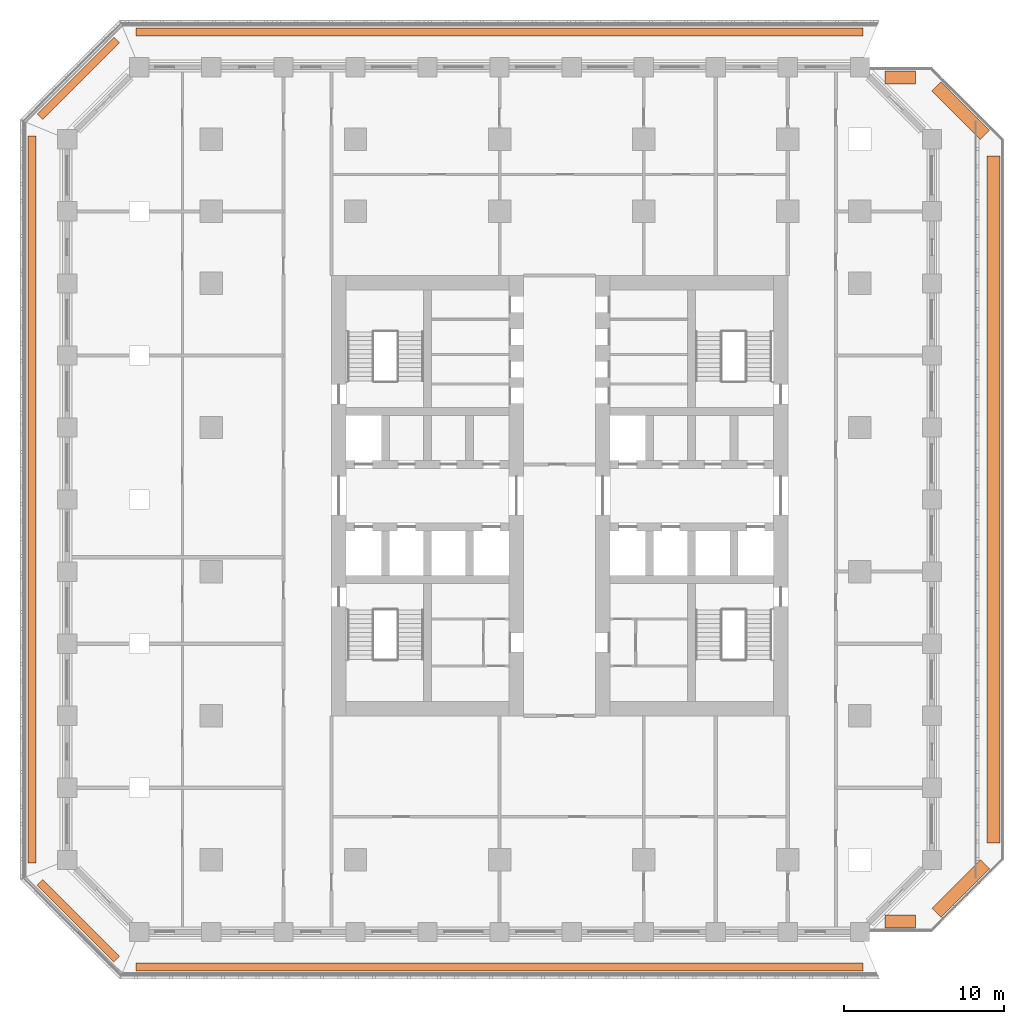
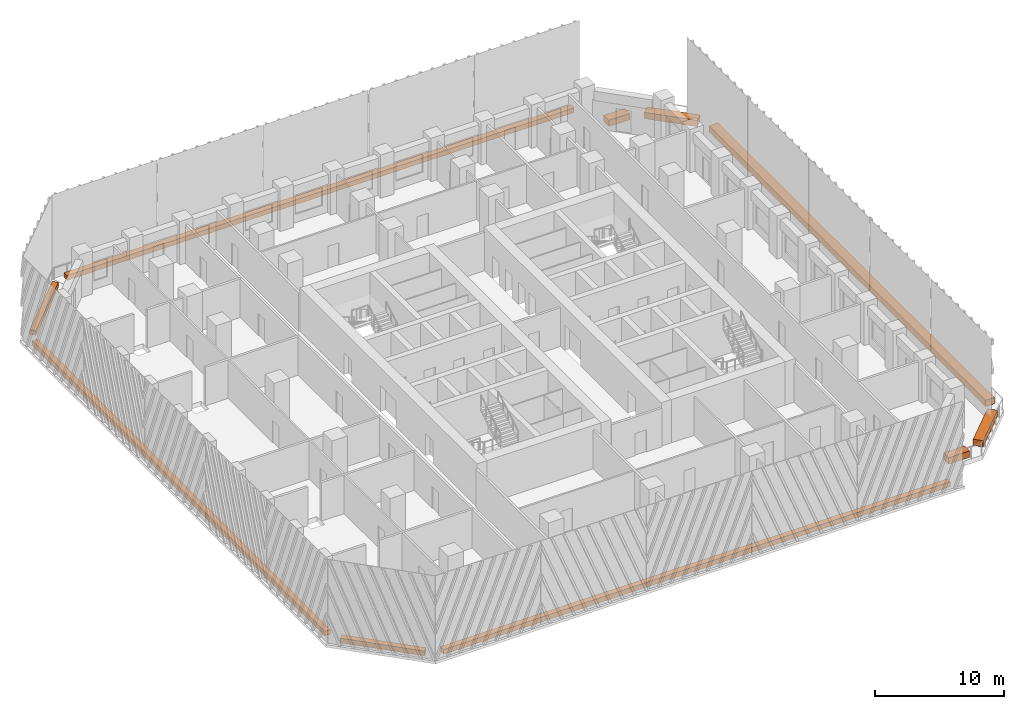
# One storey, part 19 of 19: 10 proxies.
"""IFC4 building model written with IfcOpenShell, lengths in metres."""

import ifcopenshell
import ifcopenshell.guid

model = None  # the IFC model being written
_history = None  # IfcOwnerHistory: only IFC2X3 demands one
_inside = {}  # id of a spatial element -> (the spatial element, [elements in it])
_under = {}  # id of a project, library or spatial element -> (it, [spatial elements below it])
_declared = {}  # id of a project -> (the project, [libraries it declares])
_typed = {}  # id of a type object -> (the type object, [elements of that type])
_made_of = {}  # id of a material, layer set ... -> (it, [elements and type objects made of it])


def new_model(schema):
    """Start an empty IFC model of exactly this schema.

    Asked for "IFC4X3", IfcOpenShell would pick the latest addendum, in which some entities
    have other attributes; the version numbers below select the first issue.
    IFC2X3 requires an IfcOwnerHistory on every rooted entity: one is made here for all.
    """
    global model, _history
    if schema == "IFC4X3":
        model = ifcopenshell.file(schema_version=(4, 3, 0, 0))
    else:
        model = ifcopenshell.file(schema=schema)
    _inside.clear()
    _under.clear()
    _declared.clear()
    _typed.clear()
    _made_of.clear()
    _history = None
    if model.schema == "IFC2X3":
        org = make("IfcOrganization", Name="unknown")
        user = make(
            "IfcPersonAndOrganization",
            ThePerson=make("IfcPerson", FamilyName="unknown"),
            TheOrganization=org,
        )
        app = make(
            "IfcApplication",
            ApplicationDeveloper=org,
            Version="unknown",
            ApplicationFullName="unknown",
            ApplicationIdentifier="unknown",
        )
        _history = make(
            "IfcOwnerHistory",
            OwningUser=user,
            OwningApplication=app,
            ChangeAction="ADDED",
            CreationDate=0,
        )
    return model


def make(cls, **values):
    """One entity of the class cls with the attributes given. An attribute that is None is left unset."""
    return model.create_entity(
        cls, **{name: value for name, value in values.items() if value is not None}
    )


def rooted(cls, **values):
    """An entity with a GlobalId (a new one), such as an element, a storey or a relation."""
    return make(cls, GlobalId=ifcopenshell.guid.new(), OwnerHistory=_history, **values)


def si_unit(unit_type, name, prefix=None):
    """IfcSIUnit, for example si_unit("LENGTHUNIT", "METRE", prefix="MILLI")."""
    return make("IfcSIUnit", UnitType=unit_type, Prefix=prefix, Name=name)


def assignment(units):
    """IfcUnitAssignment: the units of a project."""
    return None if units is None else make("IfcUnitAssignment", Units=units)


def point(xyz):
    """IfcCartesianPoint."""
    return None if xyz is None else make("IfcCartesianPoint", Coordinates=xyz)


def direction(xyz):
    """IfcDirection."""
    return None if xyz is None else make("IfcDirection", DirectionRatios=xyz)


def frame(location, z_axis=None, x_axis=None):
    """IfcAxis2Placement3D, a coordinate frame: its origin and axes. An axis left out is left unset."""
    return make(
        "IfcAxis2Placement3D",
        Location=point(location),
        Axis=direction(z_axis),
        RefDirection=direction(x_axis),
    )


def frame_2d(location, x_axis=None):
    """IfcAxis2Placement2D, a coordinate frame in the plane: its origin and x axis."""
    return make(
        "IfcAxis2Placement2D", Location=point(location), RefDirection=direction(x_axis)
    )


def origin():
    """The frame at (0, 0, 0) with its axes left unset."""
    return frame((0.0, 0.0, 0.0))


def origin_2d():
    """The frame at (0, 0) in the plane with its x axis left unset."""
    return frame_2d((0.0, 0.0))


def place(relative_to, where):
    """IfcLocalPlacement: puts the frame where relative to a parent placement (None: the world)."""
    return make(
        "IfcLocalPlacement", PlacementRelTo=relative_to, RelativePlacement=where
    )


def context(
    kind, dimensions, precision=None, world=None, true_north=None, identifier=None
):
    """IfcGeometricRepresentationContext, for example the 3D "Model" context."""
    return make(
        "IfcGeometricRepresentationContext",
        ContextIdentifier=identifier,
        ContextType=kind,
        CoordinateSpaceDimension=dimensions,
        Precision=precision,
        WorldCoordinateSystem=world,
        TrueNorth=true_north,
    )


def subcontext(parent, identifier, kind, view, scale=None):
    """IfcGeometricRepresentationSubContext, for example "Body" below "Model"."""
    return make(
        "IfcGeometricRepresentationSubContext",
        ContextIdentifier=identifier,
        ContextType=kind,
        ParentContext=parent,
        TargetScale=scale,
        TargetView=view,
    )


def project(units=None, contexts=None):
    """IfcProject with its units and contexts."""
    return rooted(
        "IfcProject",
        Name="project",
        RepresentationContexts=contexts,
        UnitsInContext=assignment(units),
    )


def spatial(cls, under=None, at=None, **own):
    """A site, building, storey or space (cls), placed at a placement, below another one or the project."""
    s = rooted(cls, ObjectPlacement=at, **own)
    if under is not None:
        _under.setdefault(under.id(), (under, []))[1].append(s)
    return s


def profile(cls, at=None, kind="AREA", **sizes):
    """A parametric profile (cls). Its sizes go by their IFC names, for example OverallWidth=200.0."""
    return make(cls, ProfileType=kind, Position=at, **sizes)


def rectangle(**sizes):
    """IfcRectangleProfileDef."""
    return profile("IfcRectangleProfileDef", **sizes)


def extrude(swept, where, along, depth):
    """IfcExtrudedAreaSolid: the profile swept, set in the frame where, extruded along a direction by depth."""
    return make(
        "IfcExtrudedAreaSolid",
        SweptArea=swept,
        Position=where,
        ExtrudedDirection=direction(along),
        Depth=depth,
    )


def shape(context_of_items, identifier, shape_type, items):
    """IfcShapeRepresentation: the items that make up one representation, for example the "Body"."""
    return make(
        "IfcShapeRepresentation",
        ContextOfItems=context_of_items,
        RepresentationIdentifier=identifier,
        RepresentationType=shape_type,
        Items=items,
    )


def material(Name=None, Category=None):
    """IfcMaterial."""
    return make("IfcMaterial", Name=Name, Category=Category)


def made_of(thing, what):
    """Note that an element or type object is made of a material, layer set ...; save() writes the relation."""
    if what is not None:
        _made_of.setdefault(what.id(), (what, []))[1].append(thing)
    return thing


def type_object(cls, material=None, **own):
    """A type object (cls), such as IfcWallType, which elements share."""
    return made_of(rooted(cls, **own), material)


def element(
    cls,
    number,
    at=None,
    inside=None,
    cuts=None,
    type_object=None,
    material=None,
    context=None,
    identifier="Body",
    shape_type=None,
    held_by="IfcProductDefinitionShape",
    body=None,
    shapes=None,
    **own,
):
    """One element of the class cls, such as IfcWall. Its Tag is "e" and its number.

    at: its placement. inside: the storey or other place that contains it. cuts: it is an
    opening in that element (IfcRelVoidsElement). A single representation is given by context,
    identifier, shape_type and body (its items); several are given by shapes. held_by: the class
    of the entity that holds the representations. save() writes the other relations.
    """
    e = rooted(cls, Tag="e%d" % number, ObjectPlacement=at, **own)
    if body is not None:
        shapes = [shape(context, identifier, shape_type, body)]
    if shapes is not None:
        e.Representation = make(held_by, Representations=shapes)
    if inside is not None:
        _inside.setdefault(inside.id(), (inside, []))[1].append(e)
    if cuts is not None:
        rooted(
            "IfcRelVoidsElement", RelatingBuildingElement=cuts, RelatedOpeningElement=e
        )
    if type_object is not None:
        _typed.setdefault(type_object.id(), (type_object, []))[1].append(e)
    return made_of(e, material)


def aggregate(whole, parts):
    """IfcRelAggregates: a whole, such as a stair, and the parts it consists of."""
    return rooted("IfcRelAggregates", RelatingObject=whole, RelatedObjects=parts)


def save(model, path):
    """Write the relations noted so far, then the file.

    IfcRelAggregates (storeys below a building ...), IfcRelContainedInSpatialStructure (elements
    in a storey), IfcRelDefinesByType, IfcRelAssociatesMaterial and IfcRelDeclares: one each for
    every whole, place, type object, material and project.
    """
    for whole, parts in _under.values():
        aggregate(whole, parts)
    for where, things in _inside.values():
        rooted(
            "IfcRelContainedInSpatialStructure",
            RelatedElements=things,
            RelatingStructure=where,
        )
    for kind, things in _typed.values():
        rooted("IfcRelDefinesByType", RelatedObjects=things, RelatingType=kind)
    for what, things in _made_of.values():
        rooted("IfcRelAssociatesMaterial", RelatedObjects=things, RelatingMaterial=what)
    for by, libraries in _declared.values():
        rooted("IfcRelDeclares", RelatingContext=by, RelatedDefinitions=libraries)
    model.write(path)


model = new_model("IFC4")

# Units and contexts
model_context = context("Model", 3, precision=1e-05, world=origin(), true_north=direction((0.0, 1.0)))
body_context = subcontext(model_context, "Body", "Model", "MODEL_VIEW")
ifc_project = project(units=[si_unit("LENGTHUNIT", "METRE"), si_unit("AREAUNIT", "SQUARE_METRE"), si_unit("VOLUMEUNIT", "CUBIC_METRE"), si_unit("PLANEANGLEUNIT", "RADIAN"), si_unit("MASSUNIT", "GRAM", prefix="KILO")], contexts=[model_context])

# Site, building, storey
site_placement = place(None, origin())
site = spatial("IfcSite", under=ifc_project, at=site_placement, CompositionType="ELEMENT")
building_placement = place(site_placement, origin())
building = spatial("IfcBuilding", under=site, at=building_placement, Name="Corbel Stack Research Tower", CompositionType="ELEMENT")
storey_placement = place(building_placement, frame((0.0, 0.0, 116.699951171875)))
storey = spatial("IfcBuildingStorey", under=building, at=storey_placement, Name="L26", CompositionType="ELEMENT", Elevation=116.699951171875)

# Proxies
ifc_material_1 = material(Name="Concrete C45/55", Category="concrete")
building_element_proxy_type_1 = type_object("IfcBuildingElementProxyType", Name="Planter box", PredefinedType="USERDEFINED", material=ifc_material_1)
for number, where, z_axis, x_axis, name in (
    (1, (0.0, -24.699951171875, 0.0), (0.0, 0.0, 1.0), (1.0, 0.0, 0.0), "Planter L26 S"),
    (2, (0.0, 33.699951171875, 0.0), (0.0, 0.0, 1.0), (-1.0, 0.0, 0.0), "Planter L26 N"),
):
    element("IfcBuildingElementProxy", number, at=place(storey_placement, frame(where, z_axis=z_axis, x_axis=x_axis)), inside=storey, type_object=building_element_proxy_type_1, Name=name, ObjectType="PLANTER", PredefinedType="USERDEFINED", context=body_context, shape_type="SweptSolid", body=[
        extrude(rectangle(XDim=45.41064453125, YDim=0.5, at=origin_2d()), origin(), (0.0, 0.0, 1.0), 0.449951171875),
    ])
proxy_1_placement = place(storey_placement, frame((-26.3056640625, 30.8056640625, 0.0), z_axis=(0.0, 0.0, 1.0), x_axis=(-0.707106781187, -0.707106781187, 0.0)))
element("IfcBuildingElementProxy", 3, at=proxy_1_placement, inside=storey, type_object=building_element_proxy_type_1, Name="Planter L26 NW", ObjectType="PLANTER", PredefinedType="USERDEFINED", context=body_context, shape_type="SweptSolid", body=[
    extrude(rectangle(XDim=6.774658203125, YDim=0.5, at=origin_2d()), origin(), (0.0, 0.0, 1.0), 0.449951171875),
])
proxy_2_placement = place(storey_placement, frame((-29.199951171875, 4.5, 0.0), z_axis=(0.0, 0.0, 1.0), x_axis=(0.0, -1.0, 0.0)))
element("IfcBuildingElementProxy", 4, at=proxy_2_placement, inside=storey, type_object=building_element_proxy_type_1, Name="Planter L26 W", ObjectType="PLANTER", PredefinedType="USERDEFINED", context=body_context, shape_type="SweptSolid", body=[
    extrude(rectangle(XDim=45.41064453125, YDim=0.5, at=origin_2d()), origin(), (0.0, 0.0, 1.0), 0.449951171875),
])
proxy_3_placement = place(storey_placement, frame((-26.3056640625, -21.8056640625, 0.0), z_axis=(0.0, 0.0, 1.0), x_axis=(0.707106781187, -0.707106781187, 0.0)))
element("IfcBuildingElementProxy", 5, at=proxy_3_placement, inside=storey, type_object=building_element_proxy_type_1, Name="Planter L26 SW", ObjectType="PLANTER", PredefinedType="USERDEFINED", context=body_context, shape_type="SweptSolid", body=[
    extrude(rectangle(XDim=6.774658203125, YDim=0.5, at=origin_2d()), origin(), (0.0, 0.0, 1.0), 0.449951171875),
])
ifc_material_2 = material(Name="Concrete C45/55", Category="concrete")
building_element_proxy_type_2 = type_object("IfcBuildingElementProxyType", Name="Terrace planter bed", PredefinedType="USERDEFINED", material=ifc_material_2)
proxy_4_placement = place(storey_placement, frame((25.016357421875, 30.85009765625, 0.0), z_axis=(0.0, 0.0, 1.0), x_axis=(1.0, 0.0, 0.0)))
element("IfcBuildingElementProxy", 6, at=proxy_4_placement, inside=storey, type_object=building_element_proxy_type_2, Name="Terrace planter bed L26", ObjectType="PLANTER", PredefinedType="USERDEFINED", context=body_context, shape_type="SweptSolid", body=[
    extrude(rectangle(XDim=1.88427734375, YDim=0.800048828125, at=origin_2d()), origin(), (0.0, 0.0, 1.0), 0.60009765625),
])
proxy_5_placement = place(storey_placement, frame((28.790283203125, 28.790283203125, 0.0), z_axis=(0.0, 0.0, 1.0), x_axis=(0.707106781187, -0.707106781187, 0.0)))
element("IfcBuildingElementProxy", 7, at=proxy_5_placement, inside=storey, type_object=building_element_proxy_type_2, Name="Terrace planter bed L26", ObjectType="PLANTER", PredefinedType="USERDEFINED", context=body_context, shape_type="SweptSolid", body=[
    extrude(rectangle(XDim=4.281005859375, YDim=0.800048828125, at=origin_2d()), origin(), (0.0, 0.0, 1.0), 0.60009765625),
])
proxy_6_placement = place(storey_placement, frame((30.85009765625, 4.5, 0.0), z_axis=(0.0, 0.0, 1.0), x_axis=(0.0, -1.0, 0.0)))
element("IfcBuildingElementProxy", 8, at=proxy_6_placement, inside=storey, type_object=building_element_proxy_type_2, Name="Terrace planter bed L26", ObjectType="PLANTER", PredefinedType="USERDEFINED", context=body_context, shape_type="SweptSolid", body=[
    extrude(rectangle(XDim=42.917236328125, YDim=0.800048828125, at=origin_2d()), origin(), (0.0, 0.0, 1.0), 0.60009765625),
])
proxy_7_placement = place(storey_placement, frame((28.790283203125, -19.790283203125, 0.0), z_axis=(0.0, 0.0, 1.0), x_axis=(-0.707106781187, -0.707106781187, 0.0)))
element("IfcBuildingElementProxy", 9, at=proxy_7_placement, inside=storey, type_object=building_element_proxy_type_2, Name="Terrace planter bed L26", ObjectType="PLANTER", PredefinedType="USERDEFINED", context=body_context, shape_type="SweptSolid", body=[
    extrude(rectangle(XDim=4.281005859375, YDim=0.800048828125, at=origin_2d()), origin(), (0.0, 0.0, 1.0), 0.60009765625),
])
proxy_8_placement = place(storey_placement, frame((25.016357421875, -21.85009765625, 0.0), z_axis=(0.0, 0.0, 1.0), x_axis=(-1.0, 0.0, 0.0)))
element("IfcBuildingElementProxy", 10, at=proxy_8_placement, inside=storey, type_object=building_element_proxy_type_2, Name="Terrace planter bed L26", ObjectType="PLANTER", PredefinedType="USERDEFINED", context=body_context, shape_type="SweptSolid", body=[
    extrude(rectangle(XDim=1.88427734375, YDim=0.800048828125, at=origin_2d()), origin(), (0.0, 0.0, 1.0), 0.60009765625),
])

save(model, "model.ifc")
